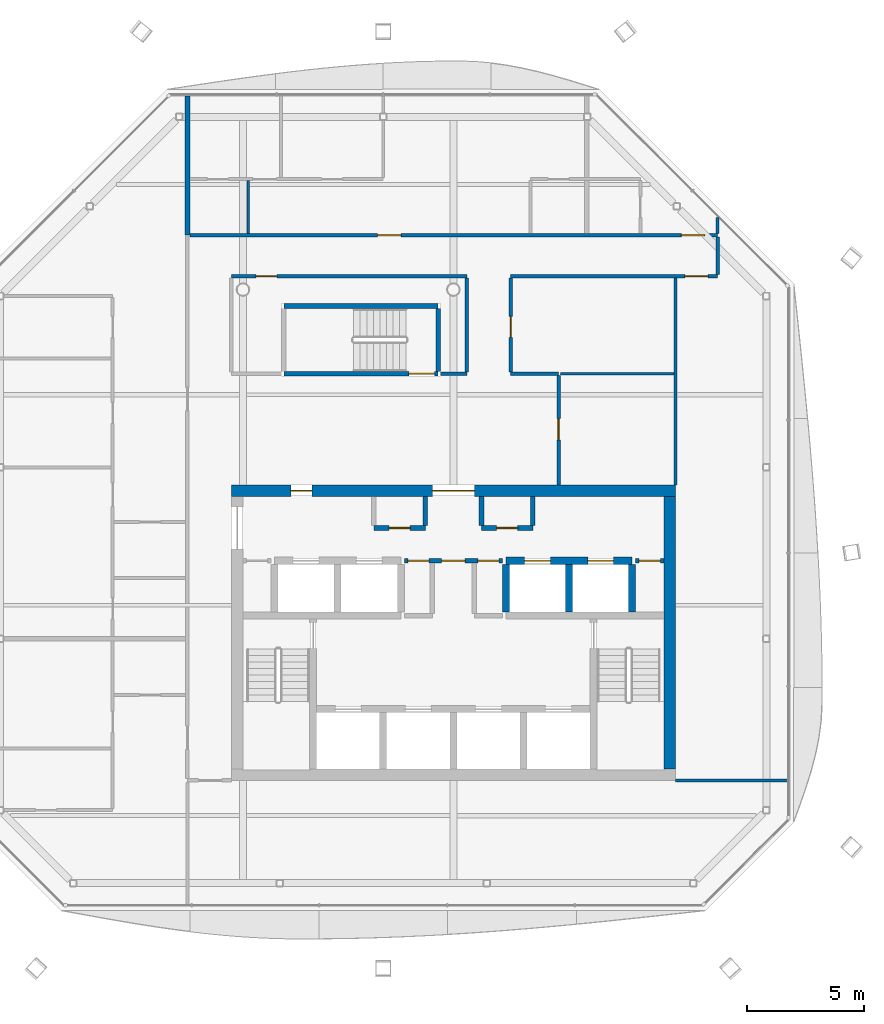
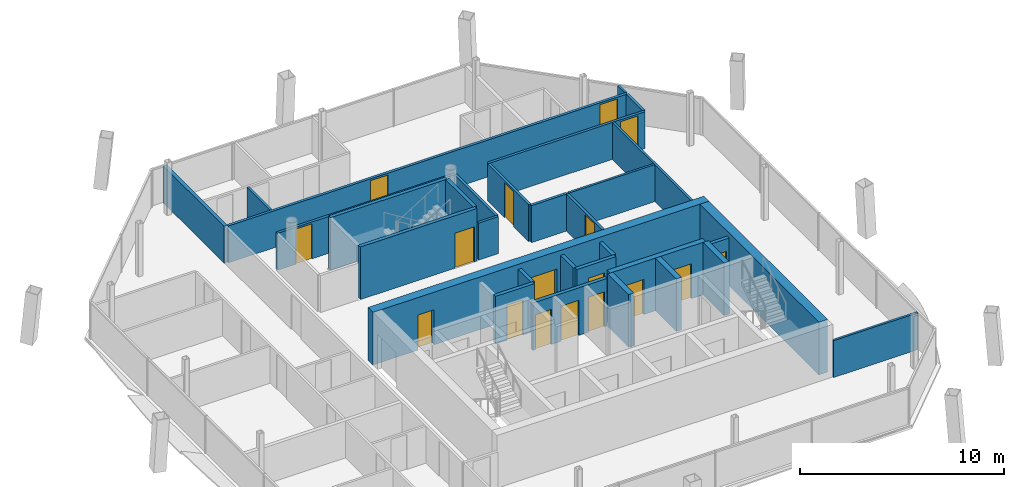
# One storey, part 11 of 16: 31 walls, 17 doors, 17 openings.
"""IFC4 building model written with IfcOpenShell, lengths in metres."""

import ifcopenshell
import ifcopenshell.guid

model = None  # the IFC model being written
_history = None  # IfcOwnerHistory: only IFC2X3 demands one
_inside = {}  # id of a spatial element -> (the spatial element, [elements in it])
_under = {}  # id of a project, library or spatial element -> (it, [spatial elements below it])
_declared = {}  # id of a project -> (the project, [libraries it declares])
_typed = {}  # id of a type object -> (the type object, [elements of that type])
_made_of = {}  # id of a material, layer set ... -> (it, [elements and type objects made of it])


def new_model(schema):
    """Start an empty IFC model of exactly this schema.

    Asked for "IFC4X3", IfcOpenShell would pick the latest addendum, in which some entities
    have other attributes; the version numbers below select the first issue.
    IFC2X3 requires an IfcOwnerHistory on every rooted entity: one is made here for all.
    """
    global model, _history
    if schema == "IFC4X3":
        model = ifcopenshell.file(schema_version=(4, 3, 0, 0))
    else:
        model = ifcopenshell.file(schema=schema)
    _inside.clear()
    _under.clear()
    _declared.clear()
    _typed.clear()
    _made_of.clear()
    _history = None
    if model.schema == "IFC2X3":
        org = make("IfcOrganization", Name="unknown")
        user = make(
            "IfcPersonAndOrganization",
            ThePerson=make("IfcPerson", FamilyName="unknown"),
            TheOrganization=org,
        )
        app = make(
            "IfcApplication",
            ApplicationDeveloper=org,
            Version="unknown",
            ApplicationFullName="unknown",
            ApplicationIdentifier="unknown",
        )
        _history = make(
            "IfcOwnerHistory",
            OwningUser=user,
            OwningApplication=app,
            ChangeAction="ADDED",
            CreationDate=0,
        )
    return model


def make(cls, **values):
    """One entity of the class cls with the attributes given. An attribute that is None is left unset."""
    return model.create_entity(
        cls, **{name: value for name, value in values.items() if value is not None}
    )


def rooted(cls, **values):
    """An entity with a GlobalId (a new one), such as an element, a storey or a relation."""
    return make(cls, GlobalId=ifcopenshell.guid.new(), OwnerHistory=_history, **values)


def si_unit(unit_type, name, prefix=None):
    """IfcSIUnit, for example si_unit("LENGTHUNIT", "METRE", prefix="MILLI")."""
    return make("IfcSIUnit", UnitType=unit_type, Prefix=prefix, Name=name)


def assignment(units):
    """IfcUnitAssignment: the units of a project."""
    return None if units is None else make("IfcUnitAssignment", Units=units)


def point(xyz):
    """IfcCartesianPoint."""
    return None if xyz is None else make("IfcCartesianPoint", Coordinates=xyz)


def direction(xyz):
    """IfcDirection."""
    return None if xyz is None else make("IfcDirection", DirectionRatios=xyz)


def frame(location, z_axis=None, x_axis=None):
    """IfcAxis2Placement3D, a coordinate frame: its origin and axes. An axis left out is left unset."""
    return make(
        "IfcAxis2Placement3D",
        Location=point(location),
        Axis=direction(z_axis),
        RefDirection=direction(x_axis),
    )


def frame_2d(location, x_axis=None):
    """IfcAxis2Placement2D, a coordinate frame in the plane: its origin and x axis."""
    return make(
        "IfcAxis2Placement2D", Location=point(location), RefDirection=direction(x_axis)
    )


def origin():
    """The frame at (0, 0, 0) with its axes left unset."""
    return frame((0.0, 0.0, 0.0))


def place(relative_to, where):
    """IfcLocalPlacement: puts the frame where relative to a parent placement (None: the world)."""
    return make(
        "IfcLocalPlacement", PlacementRelTo=relative_to, RelativePlacement=where
    )


def context(
    kind, dimensions, precision=None, world=None, true_north=None, identifier=None
):
    """IfcGeometricRepresentationContext, for example the 3D "Model" context."""
    return make(
        "IfcGeometricRepresentationContext",
        ContextIdentifier=identifier,
        ContextType=kind,
        CoordinateSpaceDimension=dimensions,
        Precision=precision,
        WorldCoordinateSystem=world,
        TrueNorth=true_north,
    )


def subcontext(parent, identifier, kind, view, scale=None):
    """IfcGeometricRepresentationSubContext, for example "Body" below "Model"."""
    return make(
        "IfcGeometricRepresentationSubContext",
        ContextIdentifier=identifier,
        ContextType=kind,
        ParentContext=parent,
        TargetScale=scale,
        TargetView=view,
    )


def project(units=None, contexts=None):
    """IfcProject with its units and contexts."""
    return rooted(
        "IfcProject",
        Name="project",
        RepresentationContexts=contexts,
        UnitsInContext=assignment(units),
    )


def spatial(cls, under=None, at=None, **own):
    """A site, building, storey or space (cls), placed at a placement, below another one or the project."""
    s = rooted(cls, ObjectPlacement=at, **own)
    if under is not None:
        _under.setdefault(under.id(), (under, []))[1].append(s)
    return s


def profile(cls, at=None, kind="AREA", **sizes):
    """A parametric profile (cls). Its sizes go by their IFC names, for example OverallWidth=200.0."""
    return make(cls, ProfileType=kind, Position=at, **sizes)


def rectangle(**sizes):
    """IfcRectangleProfileDef."""
    return profile("IfcRectangleProfileDef", **sizes)


def extrude(swept, where, along, depth):
    """IfcExtrudedAreaSolid: the profile swept, set in the frame where, extruded along a direction by depth."""
    return make(
        "IfcExtrudedAreaSolid",
        SweptArea=swept,
        Position=where,
        ExtrudedDirection=direction(along),
        Depth=depth,
    )


def shape(context_of_items, identifier, shape_type, items):
    """IfcShapeRepresentation: the items that make up one representation, for example the "Body"."""
    return make(
        "IfcShapeRepresentation",
        ContextOfItems=context_of_items,
        RepresentationIdentifier=identifier,
        RepresentationType=shape_type,
        Items=items,
    )


def material(Name=None, Category=None):
    """IfcMaterial."""
    return make("IfcMaterial", Name=Name, Category=Category)


def layer(
    of_material, thickness, ventilated=None, Name=None, Category=None, Priority=None
):
    """IfcMaterialLayer: one layer of a wall or slab, of a material (None: an air gap)."""
    return make(
        "IfcMaterialLayer",
        Material=of_material,
        LayerThickness=thickness,
        IsVentilated=ventilated,
        Name=Name,
        Category=Category,
        Priority=Priority,
    )


def layer_set(layers, Name=None):
    """IfcMaterialLayerSet."""
    return make("IfcMaterialLayerSet", MaterialLayers=layers, LayerSetName=Name)


def made_of(thing, what):
    """Note that an element or type object is made of a material, layer set ...; save() writes the relation."""
    if what is not None:
        _made_of.setdefault(what.id(), (what, []))[1].append(thing)
    return thing


def type_object(cls, material=None, **own):
    """A type object (cls), such as IfcWallType, which elements share."""
    return made_of(rooted(cls, **own), material)


def element(
    cls,
    number,
    at=None,
    inside=None,
    cuts=None,
    type_object=None,
    material=None,
    context=None,
    identifier="Body",
    shape_type=None,
    held_by="IfcProductDefinitionShape",
    body=None,
    shapes=None,
    **own,
):
    """One element of the class cls, such as IfcWall. Its Tag is "e" and its number.

    at: its placement. inside: the storey or other place that contains it. cuts: it is an
    opening in that element (IfcRelVoidsElement). A single representation is given by context,
    identifier, shape_type and body (its items); several are given by shapes. held_by: the class
    of the entity that holds the representations. save() writes the other relations.
    """
    e = rooted(cls, Tag="e%d" % number, ObjectPlacement=at, **own)
    if body is not None:
        shapes = [shape(context, identifier, shape_type, body)]
    if shapes is not None:
        e.Representation = make(held_by, Representations=shapes)
    if inside is not None:
        _inside.setdefault(inside.id(), (inside, []))[1].append(e)
    if cuts is not None:
        rooted(
            "IfcRelVoidsElement", RelatingBuildingElement=cuts, RelatedOpeningElement=e
        )
    if type_object is not None:
        _typed.setdefault(type_object.id(), (type_object, []))[1].append(e)
    return made_of(e, material)


def fill(opening, filler):
    """IfcRelFillsElement: the door or window that sits in an opening."""
    return rooted(
        "IfcRelFillsElement",
        RelatingOpeningElement=opening,
        RelatedBuildingElement=filler,
    )


def aggregate(whole, parts):
    """IfcRelAggregates: a whole, such as a stair, and the parts it consists of."""
    return rooted("IfcRelAggregates", RelatingObject=whole, RelatedObjects=parts)


def save(model, path):
    """Write the relations noted so far, then the file.

    IfcRelAggregates (storeys below a building ...), IfcRelContainedInSpatialStructure (elements
    in a storey), IfcRelDefinesByType, IfcRelAssociatesMaterial and IfcRelDeclares: one each for
    every whole, place, type object, material and project.
    """
    for whole, parts in _under.values():
        aggregate(whole, parts)
    for where, things in _inside.values():
        rooted(
            "IfcRelContainedInSpatialStructure",
            RelatedElements=things,
            RelatingStructure=where,
        )
    for kind, things in _typed.values():
        rooted("IfcRelDefinesByType", RelatedObjects=things, RelatingType=kind)
    for what, things in _made_of.values():
        rooted("IfcRelAssociatesMaterial", RelatedObjects=things, RelatingMaterial=what)
    for by, libraries in _declared.values():
        rooted("IfcRelDeclares", RelatingContext=by, RelatedDefinitions=libraries)
    model.write(path)


model = new_model("IFC4")

# Units and contexts
model_context = context("Model", 3, precision=1e-05, world=origin(), true_north=direction((0.0, 1.0)))
body_context = subcontext(model_context, "Body", "Model", "MODEL_VIEW")
ifc_project = project(units=[si_unit("LENGTHUNIT", "METRE"), si_unit("AREAUNIT", "SQUARE_METRE"), si_unit("VOLUMEUNIT", "CUBIC_METRE"), si_unit("PLANEANGLEUNIT", "RADIAN"), si_unit("MASSUNIT", "GRAM", prefix="KILO")], contexts=[model_context])

# Site, building, storey
site_placement = place(None, origin())
site = spatial("IfcSite", under=ifc_project, at=site_placement, CompositionType="ELEMENT")
building_placement = place(site_placement, origin())
building = spatial("IfcBuilding", under=site, at=building_placement, Name="Tskaro Facet Tower", CompositionType="ELEMENT")
storey_placement = place(building_placement, frame((0.0, 0.0, 251.85009765625)))
storey = spatial("IfcBuildingStorey", under=building, at=storey_placement, Name="L66", CompositionType="ELEMENT", Elevation=251.85009765625)

# Wall, openings, doors
ifc_material_1 = material(Name="Concrete C60/75", Category="concrete")
ifc_layer_1 = layer(ifc_material_1, 0.300048828125, Name="Concrete C60/75")
ifc_layer_set_1 = layer_set([ifc_layer_1], Name="Concrete C60/75")
wall_type_1 = type_object("IfcWallType", Name="CORE-SHAFT", PredefinedType="SHEAR", material=ifc_layer_set_1)
wall_1_placement = place(storey_placement, frame((2.25, -2.60009765625, 0.0), z_axis=(0.0, 0.0, 1.0), x_axis=(1.0, 0.0, 0.0)))
wall_1 = element("IfcWall", 1, at=wall_1_placement, inside=storey, type_object=wall_type_1, Name="Shaft wall W018", PredefinedType="SHEAR", context=body_context, shape_type="SweptSolid", body=[
    extrude(rectangle(XDim=5.39990234375, YDim=0.300048828125, at=frame_2d((2.699951171875, 0.0))), origin(), (0.0, 0.0, 1.0), 3.14990234375),
])
opening_1_placement = place(wall_1_placement, frame((0.800048828125, 0.0, 0.0)))
opening_1 = element("IfcOpeningElement", 2, at=opening_1_placement, cuts=wall_1, Name="Opening LD-HB3", PredefinedType="OPENING", context=body_context, shape_type="SweptSolid", body=[
    extrude(rectangle(XDim=1.10009765625, YDim=2.10009765625, at=frame_2d((0.550048828125, 1.050048828125))), frame((0.0, 0.159912109375, 0.0), z_axis=(0.0, -1.0, 0.0), x_axis=(1.0, 0.0, 0.0)), (0.0, 0.0, 1.0), 0.320068359375),
])
opening_2_placement = place(wall_1_placement, frame((3.5, 0.0, 0.0)))
opening_2 = element("IfcOpeningElement", 3, at=opening_2_placement, cuts=wall_1, Name="Opening LD-HB4", PredefinedType="OPENING", context=body_context, shape_type="SweptSolid", body=[
    extrude(rectangle(XDim=1.10009765625, YDim=2.10009765625, at=frame_2d((0.550048828125, 1.050048828125))), frame((0.0, 0.159912109375, 0.0), z_axis=(0.0, -1.0, 0.0), x_axis=(1.0, 0.0, 0.0)), (0.0, 0.0, 1.0), 0.320068359375),
])
ifc_material_2 = material(Name="Stainless steel", Category="steel")
door_type_1 = type_object("IfcDoorType", Name="D-LANDING", OperationType="NOTDEFINED", PredefinedType="DOOR", material=ifc_material_2)
door_1_placement = place(opening_1_placement, origin())
door_1 = element("IfcDoor", 4, at=door_1_placement, inside=storey, type_object=door_type_1, Name="Landing door HB3", OperationType="DOUBLE_DOOR_SLIDING", OverallHeight=2.10009765625, OverallWidth=1.10009765625, PredefinedType="DOOR", context=body_context, shape_type="SweptSolid", body=[
    extrude(rectangle(XDim=1.10009765625, YDim=2.10009765625, at=frame_2d((0.550048828125, 1.050048828125))), frame((0.0, 0.02490234375, 0.0), z_axis=(0.0, -1.0, 0.0), x_axis=(1.0, 0.0, 0.0)), (0.0, 0.0, 1.0), 0.050048828125),
])
fill(opening_1, door_1)
door_2_placement = place(opening_2_placement, origin())
door_2 = element("IfcDoor", 5, at=door_2_placement, inside=storey, type_object=door_type_1, Name="Landing door HB4", OperationType="DOUBLE_DOOR_SLIDING", OverallHeight=2.10009765625, OverallWidth=1.10009765625, PredefinedType="DOOR", context=body_context, shape_type="SweptSolid", body=[
    extrude(rectangle(XDim=1.10009765625, YDim=2.10009765625, at=frame_2d((0.550048828125, 1.050048828125))), frame((0.0, 0.02490234375, 0.0), z_axis=(0.0, -1.0, 0.0), x_axis=(1.0, 0.0, 0.0)), (0.0, 0.0, 1.0), 0.050048828125),
])
fill(opening_2, door_2)

# Walls
for number, where, z_axis, x_axis, name in (
    (6, (2.25, -4.800048828125, 0.0), (0.0, 0.0, 1.0), (0.0, 1.0, 0.0), "Shaft wall W062"),
    (7, (4.949951171875, -4.800048828125, 0.0), (0.0, 0.0, 1.0), (0.0, 1.0, 0.0), "Shaft wall W068"),
    (8, (7.64990234375, -4.800048828125, 0.0), (0.0, 0.0, 1.0), (0.0, 1.0, 0.0), "Shaft wall W072"),
):
    element("IfcWall", number, at=place(storey_placement, frame(where, z_axis=z_axis, x_axis=x_axis)), inside=storey, type_object=wall_type_1, Name=name, PredefinedType="SHEAR", context=body_context, shape_type="SweptSolid", body=[
        extrude(rectangle(XDim=2.050048828125, YDim=0.300048828125, at=frame_2d((1.02490234375, 0.0))), origin(), (0.0, 0.0, 1.0), 3.14990234375),
    ])

# Wall, openings, doors
ifc_material_3 = material(Name="Concrete C20/25", Category="concrete")
ifc_layer_2 = layer(ifc_material_3, 0.199951171875, Name="Concrete C20/25")
ifc_layer_set_2 = layer_set([ifc_layer_2], Name="Concrete C20/25")
wall_type_2 = type_object("IfcWallType", Name="CORE-WALL", PredefinedType="SOLIDWALL", material=ifc_layer_set_2)
wall_2_placement = place(storey_placement, frame((2.10009765625, -2.60009765625, 0.0), z_axis=(0.0, 0.0, 1.0), x_axis=(-1.0, 0.0, 0.0)))
wall_2 = element("IfcWall", 9, at=wall_2_placement, inside=storey, type_object=wall_type_2, Name="Core room wall W017", PredefinedType="SOLIDWALL", context=body_context, shape_type="SweptSolid", body=[
    extrude(rectangle(XDim=4.2001953125, YDim=0.199951171875, at=frame_2d((2.10009765625, 0.0))), origin(), (0.0, 0.0, 1.0), 2.849853515625),
])
opening_3_placement = place(wall_2_placement, frame((1.60009765625, 0.0, 0.0)))
opening_3 = element("IfcOpeningElement", 10, at=opening_3_placement, cuts=wall_2, Name="Opening FL-D1", PredefinedType="OPENING", context=body_context, shape_type="SweptSolid", body=[
    extrude(rectangle(XDim=1.0, YDim=2.10009765625, at=frame_2d((0.5, 1.050048828125))), frame((0.0, 0.10986328125, 0.0), z_axis=(0.0, -1.0, 0.0), x_axis=(1.0, 0.0, 0.0)), (0.0, 0.0, 1.0), 0.219970703125),
])
opening_4_placement = place(wall_2_placement, frame((3.14990234375, 0.0, 0.0)))
opening_4 = element("IfcOpeningElement", 11, at=opening_4_placement, cuts=wall_2, Name="Opening T19-D08", PredefinedType="OPENING", context=body_context, shape_type="SweptSolid", body=[
    extrude(rectangle(XDim=0.89990234375, YDim=2.10009765625, at=frame_2d((0.449951171875, 1.050048828125))), frame((0.0, 0.10986328125, 0.0), z_axis=(0.0, -1.0, 0.0), x_axis=(1.0, 0.0, 0.0)), (0.0, 0.0, 1.0), 0.219970703125),
])
opening_5_placement = place(wall_2_placement, frame((0.14990234375, 0.0, 0.0)))
opening_5 = element("IfcOpeningElement", 12, at=opening_5_placement, cuts=wall_2, Name="Opening T19-D09", PredefinedType="OPENING", context=body_context, shape_type="SweptSolid", body=[
    extrude(rectangle(XDim=0.89990234375, YDim=2.10009765625, at=frame_2d((0.449951171875, 1.050048828125))), frame((0.0, 0.10986328125, 0.0), z_axis=(0.0, -1.0, 0.0), x_axis=(1.0, 0.0, 0.0)), (0.0, 0.0, 1.0), 0.219970703125),
])
ifc_material_4 = material(Name="Steel", Category="steel")
door_type_2 = type_object("IfcDoorType", Name="D-LOBBY", OperationType="NOTDEFINED", PredefinedType="DOOR", material=ifc_material_4)
door_3_placement = place(opening_3_placement, origin())
door_3 = element("IfcDoor", 13, at=door_3_placement, inside=storey, type_object=door_type_2, Name="Lobby door FL", OperationType="SINGLE_SWING_RIGHT", OverallHeight=2.10009765625, OverallWidth=1.0, PredefinedType="DOOR", context=body_context, shape_type="SweptSolid", body=[
    extrude(rectangle(XDim=1.0, YDim=2.10009765625, at=frame_2d((0.5, 1.050048828125))), frame((0.0, 0.02490234375, 0.0), z_axis=(0.0, -1.0, 0.0), x_axis=(1.0, 0.0, 0.0)), (0.0, 0.0, 1.0), 0.050048828125),
])
fill(opening_3, door_3)
ifc_material_5 = material(Name="Timber", Category="wood")
door_type_3 = type_object("IfcDoorType", Name="D-ROOM", OperationType="NOTDEFINED", PredefinedType="DOOR", material=ifc_material_5)
door_4_placement = place(opening_4_placement, origin())
door_4 = element("IfcDoor", 14, at=door_4_placement, inside=storey, type_object=door_type_3, Name="Door T19-D08", OperationType="SINGLE_SWING_RIGHT", OverallHeight=2.10009765625, OverallWidth=0.89990234375, PredefinedType="DOOR", context=body_context, shape_type="SweptSolid", body=[
    extrude(rectangle(XDim=0.89990234375, YDim=2.10009765625, at=frame_2d((0.449951171875, 1.050048828125))), frame((0.0, 0.02490234375, 0.0), z_axis=(0.0, -1.0, 0.0), x_axis=(1.0, 0.0, 0.0)), (0.0, 0.0, 1.0), 0.050048828125),
])
fill(opening_4, door_4)
door_5_placement = place(opening_5_placement, origin())
door_5 = element("IfcDoor", 15, at=door_5_placement, inside=storey, type_object=door_type_3, Name="Door T19-D09", OperationType="SINGLE_SWING_RIGHT", OverallHeight=2.10009765625, OverallWidth=0.89990234375, PredefinedType="DOOR", context=body_context, shape_type="SweptSolid", body=[
    extrude(rectangle(XDim=0.89990234375, YDim=2.10009765625, at=frame_2d((0.449951171875, 1.050048828125))), frame((0.0, 0.02490234375, 0.0), z_axis=(0.0, -1.0, 0.0), x_axis=(1.0, 0.0, 0.0)), (0.0, 0.0, 1.0), 0.050048828125),
])
fill(opening_5, door_5)

# Wall, opening, door
wall_3_placement = place(storey_placement, frame((9.0, -2.60009765625, 0.0), z_axis=(0.0, 0.0, 1.0), x_axis=(-1.0, 0.0, 0.0)))
wall_3 = element("IfcWall", 16, at=wall_3_placement, inside=storey, type_object=wall_type_2, Name="Core room wall W019", PredefinedType="SOLIDWALL", context=body_context, shape_type="SweptSolid", body=[
    extrude(rectangle(XDim=1.199951171875, YDim=0.199951171875, at=frame_2d((0.60009765625, 0.0))), origin(), (0.0, 0.0, 1.0), 2.849853515625),
])
opening_6_placement = place(wall_3_placement, frame((0.14990234375, 0.0, 0.0)))
opening_6 = element("IfcOpeningElement", 17, at=opening_6_placement, cuts=wall_3, Name="Opening T19-D10", PredefinedType="OPENING", context=body_context, shape_type="SweptSolid", body=[
    extrude(rectangle(XDim=0.89990234375, YDim=2.10009765625, at=frame_2d((0.449951171875, 1.050048828125))), frame((0.0, 0.10986328125, 0.0), z_axis=(0.0, -1.0, 0.0), x_axis=(1.0, 0.0, 0.0)), (0.0, 0.0, 1.0), 0.219970703125),
])
door_6_placement = place(opening_6_placement, origin())
door_6 = element("IfcDoor", 18, at=door_6_placement, inside=storey, type_object=door_type_3, Name="Door T19-D10", OperationType="SINGLE_SWING_RIGHT", OverallHeight=2.10009765625, OverallWidth=0.89990234375, PredefinedType="DOOR", context=body_context, shape_type="SweptSolid", body=[
    extrude(rectangle(XDim=0.89990234375, YDim=2.10009765625, at=frame_2d((0.449951171875, 1.050048828125))), frame((0.0, 0.02490234375, 0.0), z_axis=(0.0, -1.0, 0.0), x_axis=(1.0, 0.0, 0.0)), (0.0, 0.0, 1.0), 0.050048828125),
])
fill(opening_6, door_6)

wall_4_placement = place(storey_placement, frame((-3.39990234375, -1.199951171875, 0.0), z_axis=(0.0, 0.0, 1.0), x_axis=(1.0, 0.0, 0.0)))
wall_4 = element("IfcWall", 19, at=wall_4_placement, inside=storey, type_object=wall_type_2, Name="Core room wall W020", PredefinedType="SOLIDWALL", context=body_context, shape_type="SweptSolid", body=[
    extrude(rectangle(XDim=2.199951171875, YDim=0.199951171875, at=frame_2d((1.10009765625, 0.0))), origin(), (0.0, 0.0, 1.0), 2.849853515625),
])
opening_7_placement = place(wall_4_placement, frame((0.64990234375, 0.0, 0.0)))
opening_7 = element("IfcOpeningElement", 20, at=opening_7_placement, cuts=wall_4, Name="Opening T19-D12", PredefinedType="OPENING", context=body_context, shape_type="SweptSolid", body=[
    extrude(rectangle(XDim=0.89990234375, YDim=2.10009765625, at=frame_2d((0.449951171875, 1.050048828125))), frame((0.0, 0.10986328125, 0.0), z_axis=(0.0, -1.0, 0.0), x_axis=(1.0, 0.0, 0.0)), (0.0, 0.0, 1.0), 0.219970703125),
])
door_7_placement = place(opening_7_placement, origin())
door_7 = element("IfcDoor", 21, at=door_7_placement, inside=storey, type_object=door_type_3, Name="Door T19-D12", OperationType="SINGLE_SWING_LEFT", OverallHeight=2.10009765625, OverallWidth=0.89990234375, PredefinedType="DOOR", context=body_context, shape_type="SweptSolid", body=[
    extrude(rectangle(XDim=0.89990234375, YDim=2.10009765625, at=frame_2d((0.449951171875, 1.050048828125))), frame((0.0, 0.02490234375, 0.0), z_axis=(0.0, -1.0, 0.0), x_axis=(1.0, 0.0, 0.0)), (0.0, 0.0, 1.0), 0.050048828125),
])
fill(opening_7, door_7)

wall_5_placement = place(storey_placement, frame((1.199951171875, -1.199951171875, 0.0), z_axis=(0.0, 0.0, 1.0), x_axis=(1.0, 0.0, 0.0)))
wall_5 = element("IfcWall", 22, at=wall_5_placement, inside=storey, type_object=wall_type_2, Name="Core room wall W021", PredefinedType="SOLIDWALL", context=body_context, shape_type="SweptSolid", body=[
    extrude(rectangle(XDim=2.199951171875, YDim=0.199951171875, at=frame_2d((1.10009765625, 0.0))), origin(), (0.0, 0.0, 1.0), 2.849853515625),
])
opening_8_placement = place(wall_5_placement, frame((0.64990234375, 0.0, 0.0)))
opening_8 = element("IfcOpeningElement", 23, at=opening_8_placement, cuts=wall_5, Name="Opening T19-D13", PredefinedType="OPENING", context=body_context, shape_type="SweptSolid", body=[
    extrude(rectangle(XDim=0.89990234375, YDim=2.10009765625, at=frame_2d((0.449951171875, 1.050048828125))), frame((0.0, 0.10986328125, 0.0), z_axis=(0.0, -1.0, 0.0), x_axis=(1.0, 0.0, 0.0)), (0.0, 0.0, 1.0), 0.219970703125),
])
door_8_placement = place(opening_8_placement, origin())
door_8 = element("IfcDoor", 24, at=door_8_placement, inside=storey, type_object=door_type_3, Name="Door T19-D13", OperationType="SINGLE_SWING_LEFT", OverallHeight=2.10009765625, OverallWidth=0.89990234375, PredefinedType="DOOR", context=body_context, shape_type="SweptSolid", body=[
    extrude(rectangle(XDim=0.89990234375, YDim=2.10009765625, at=frame_2d((0.449951171875, 1.050048828125))), frame((0.0, 0.02490234375, 0.0), z_axis=(0.0, -1.0, 0.0), x_axis=(1.0, 0.0, 0.0)), (0.0, 0.0, 1.0), 0.050048828125),
])
fill(opening_8, door_8)

# Walls
for number, where, z_axis, x_axis, name in (
    (25, (-1.199951171875, -1.10009765625, 0.0), (0.0, 0.0, 1.0), (0.0, 1.0, 0.0), "Core room wall W055"),
    (26, (1.199951171875, -1.10009765625, 0.0), (0.0, 0.0, 1.0), (0.0, 1.0, 0.0), "Core room wall W061"),
    (27, (3.39990234375, -1.10009765625, 0.0), (0.0, 0.0, 1.0), (0.0, 1.0, 0.0), "Core room wall W066"),
):
    element("IfcWall", number, at=place(storey_placement, frame(where, z_axis=z_axis, x_axis=x_axis)), inside=storey, type_object=wall_type_2, Name=name, PredefinedType="SOLIDWALL", context=body_context, shape_type="SweptSolid", body=[
        extrude(rectangle(XDim=1.25, YDim=0.199951171875, at=frame_2d((0.625, 0.0))), origin(), (0.0, 0.0, 1.0), 2.849853515625),
    ])

# Wall, openings, doors
ifc_material_6 = material(Name="Concrete C40/50", Category="concrete")
ifc_layer_3 = layer(ifc_material_6, 0.5, Name="Concrete C40/50")
ifc_layer_set_3 = layer_set([ifc_layer_3], Name="Concrete C40/50")
wall_type_3 = type_object("IfcWallType", Name="Core wall 500", PredefinedType="SHEAR", material=ifc_layer_set_3)
wall_6_placement = place(storey_placement, frame((-9.5, 0.39990234375, 0.0), z_axis=(0.0, 0.0, 1.0), x_axis=(1.0, 0.0, 0.0)))
wall_6 = element("IfcWall", 28, at=wall_6_placement, inside=storey, type_object=wall_type_3, Name="Core wall CW-Z3N", PredefinedType="SHEAR", context=body_context, shape_type="SweptSolid", body=[
    extrude(rectangle(XDim=19.0, YDim=0.5, at=frame_2d((9.5, 0.0))), origin(), (0.0, 0.0, 1.0), 3.14990234375),
])
opening_9_placement = place(wall_6_placement, frame((8.60009765625, 0.0, 0.0)))
opening_9 = element("IfcOpeningElement", 29, at=opening_9_placement, cuts=wall_6, Name="Opening T19-D17", PredefinedType="OPENING", context=body_context, shape_type="SweptSolid", body=[
    extrude(rectangle(XDim=1.800048828125, YDim=2.10009765625, at=frame_2d((0.89990234375, 1.050048828125))), frame((0.0, 0.260009765625, 0.0), z_axis=(0.0, -1.0, 0.0), x_axis=(1.0, 0.0, 0.0)), (0.0, 0.0, 1.0), 0.52001953125),
])
opening_10_placement = place(wall_6_placement, frame((2.550048828125, 0.0, 0.0)))
opening_10 = element("IfcOpeningElement", 30, at=opening_10_placement, cuts=wall_6, Name="Opening T19-D16", PredefinedType="OPENING", context=body_context, shape_type="SweptSolid", body=[
    extrude(rectangle(XDim=0.89990234375, YDim=2.10009765625, at=frame_2d((0.449951171875, 1.050048828125))), frame((0.0, 0.260009765625, 0.0), z_axis=(0.0, -1.0, 0.0), x_axis=(1.0, 0.0, 0.0)), (0.0, 0.0, 1.0), 0.52001953125),
])
door_type_4 = type_object("IfcDoorType", Name="D-CORE-PAIR", OperationType="NOTDEFINED", PredefinedType="DOOR", material=ifc_material_4)
door_9_placement = place(opening_9_placement, origin())
door_9 = element("IfcDoor", 31, at=door_9_placement, inside=storey, type_object=door_type_4, Name="Door T19-D17", OperationType="DOUBLE_DOOR_SINGLE_SWING", OverallHeight=2.10009765625, OverallWidth=1.800048828125, PredefinedType="DOOR", context=body_context, shape_type="SweptSolid", body=[
    extrude(rectangle(XDim=1.800048828125, YDim=2.10009765625, at=frame_2d((0.89990234375, 1.050048828125))), frame((0.0, 0.02490234375, 0.0), z_axis=(0.0, -1.0, 0.0), x_axis=(1.0, 0.0, 0.0)), (0.0, 0.0, 1.0), 0.050048828125),
])
fill(opening_9, door_9)
door_10_placement = place(opening_10_placement, origin())
door_10 = element("IfcDoor", 32, at=door_10_placement, inside=storey, type_object=door_type_3, Name="Door T19-D16", OperationType="SINGLE_SWING_LEFT", OverallHeight=2.10009765625, OverallWidth=0.89990234375, PredefinedType="DOOR", context=body_context, shape_type="SweptSolid", body=[
    extrude(rectangle(XDim=0.89990234375, YDim=2.10009765625, at=frame_2d((0.449951171875, 1.050048828125))), frame((0.0, 0.02490234375, 0.0), z_axis=(0.0, -1.0, 0.0), x_axis=(1.0, 0.0, 0.0)), (0.0, 0.0, 1.0), 0.050048828125),
])
fill(opening_10, door_10)

# Walls
wall_7_placement = place(storey_placement, frame((9.25, -11.5, 0.0), z_axis=(0.0, 0.0, 1.0), x_axis=(0.0, 1.0, 0.0)))
element("IfcWall", 33, at=wall_7_placement, inside=storey, type_object=wall_type_3, Name="Core wall CW-Z3E", PredefinedType="SHEAR", context=body_context, shape_type="SweptSolid", body=[
    extrude(rectangle(XDim=11.64990234375, YDim=0.5, at=frame_2d((5.824951171875, 0.0))), origin(), (0.0, 0.0, 1.0), 3.14990234375),
])
ifc_material_7 = material(Name="Gypsum board on steel studs", Category="steel")
ifc_layer_4 = layer(ifc_material_7, 0.125, Name="Gypsum board on steel studs")
ifc_layer_set_4 = layer_set([ifc_layer_4], Name="Gypsum board on steel studs")
wall_type_4 = type_object("IfcWallType", Name="PART", PredefinedType="PARTITIONING", material=ifc_layer_set_4)
wall_8_placement = place(storey_placement, frame((9.5, -12.0, 0.0), z_axis=(0.0, 0.0, 1.0), x_axis=(1.0, 0.0, 0.0)))
element("IfcWall", 34, at=wall_8_placement, inside=storey, type_object=wall_type_4, Name="Partition W004", PredefinedType="PARTITIONING", context=body_context, shape_type="SweptSolid", body=[
    extrude(rectangle(XDim=4.791015625, YDim=0.125, at=frame_2d((2.3955078125, 0.0))), origin(), (0.0, 0.0, 1.0), 2.2099609375),
])
wall_9_placement = place(storey_placement, frame((4.574951171875, 5.39990234375, 0.0), z_axis=(0.0, 0.0, 1.0), x_axis=(1.0, 0.0, 0.0)))
element("IfcWall", 35, at=wall_9_placement, inside=storey, type_object=wall_type_4, Name="Partition W029", PredefinedType="PARTITIONING", context=body_context, shape_type="SweptSolid", body=[
    extrude(rectangle(XDim=4.862548828125, YDim=0.125, at=frame_2d((2.43115234375, 0.0))), origin(), (0.0, 0.0, 1.0), 2.2099609375),
])
wall_10_placement = place(storey_placement, frame((-8.77490234375, 11.39990234375, 0.0), z_axis=(0.0, 0.0, 1.0), x_axis=(0.0, 1.0, 0.0)))
element("IfcWall", 36, at=wall_10_placement, inside=storey, type_object=wall_type_4, Name="Partition W044", PredefinedType="PARTITIONING", context=body_context, shape_type="SweptSolid", body=[
    extrude(rectangle(XDim=2.2626953125, YDim=0.125, at=frame_2d((1.13134765625, 0.0))), origin(), (0.0, 0.0, 1.0), 2.2099609375),
])
wall_11_placement = place(storey_placement, frame((9.5, 0.64990234375, 0.0), z_axis=(0.0, 0.0, 1.0), x_axis=(0.0, 1.0, 0.0)))
element("IfcWall", 37, at=wall_11_placement, inside=storey, type_object=wall_type_4, Name="Partition W074", PredefinedType="PARTITIONING", context=body_context, shape_type="SweptSolid", body=[
    extrude(rectangle(XDim=8.85009765625, YDim=0.125, at=frame_2d((4.425048828125, 0.0))), origin(), (0.0, 0.0, 1.0), 2.2099609375),
])
wall_12_placement = place(storey_placement, frame((11.300048828125, 11.39990234375, 0.0), z_axis=(0.0, 0.0, 1.0), x_axis=(0.0, 1.0, 0.0)))
element("IfcWall", 38, at=wall_12_placement, inside=storey, type_object=wall_type_4, Name="Partition W076", PredefinedType="PARTITIONING", context=body_context, shape_type="SweptSolid", body=[
    extrude(rectangle(XDim=0.689208984375, YDim=0.125, at=frame_2d((0.3447265625, 0.0))), origin(), (0.0, 0.0, 1.0), 2.2099609375),
])
ifc_layer_5 = layer(ifc_material_7, 0.14990234375, Name="Gypsum board on steel studs")
ifc_layer_set_5 = layer_set([ifc_layer_5], Name="Gypsum board on steel studs")
wall_type_5 = type_object("IfcWallType", Name="PART-CORR", PredefinedType="PARTITIONING", material=ifc_layer_set_5)
wall_13_placement = place(storey_placement, frame((-0.550048828125, 5.39990234375, 0.0), z_axis=(0.0, 0.0, 1.0), x_axis=(1.0, 0.0, 0.0)))
element("IfcWall", 39, at=wall_13_placement, inside=storey, type_object=wall_type_5, Name="Corridor wall W027", PredefinedType="PARTITIONING", context=body_context, shape_type="SweptSolid", body=[
    extrude(rectangle(XDim=1.125, YDim=0.14990234375, at=frame_2d((0.5625, 0.0))), origin(), (0.0, 0.0, 1.0), 2.2099609375),
])
wall_14_placement = place(storey_placement, frame((2.449951171875, 5.39990234375, 0.0), z_axis=(0.0, 0.0, 1.0), x_axis=(1.0, 0.0, 0.0)))
element("IfcWall", 40, at=wall_14_placement, inside=storey, type_object=wall_type_5, Name="Corridor wall W028", PredefinedType="PARTITIONING", context=body_context, shape_type="SweptSolid", body=[
    extrude(rectangle(XDim=2.050048828125, YDim=0.14990234375, at=frame_2d((1.02490234375, 0.0))), origin(), (0.0, 0.0, 1.0), 2.2099609375),
])

# Wall, opening, door
wall_15_placement = place(storey_placement, frame((0.574951171875, 9.574951171875, 0.0), z_axis=(0.0, 0.0, 1.0), x_axis=(-1.0, 0.0, 0.0)))
wall_15 = element("IfcWall", 41, at=wall_15_placement, inside=storey, type_object=wall_type_5, Name="Corridor wall W034", PredefinedType="PARTITIONING", context=body_context, shape_type="SweptSolid", body=[
    extrude(rectangle(XDim=10.074951171875, YDim=0.14990234375, at=frame_2d((5.03759765625, 0.0))), origin(), (0.0, 0.0, 1.0), 2.2099609375),
])
opening_11_placement = place(wall_15_placement, frame((8.125, 0.0, 0.0)))
opening_11 = element("IfcOpeningElement", 42, at=opening_11_placement, cuts=wall_15, Name="Opening T19-D23", PredefinedType="OPENING", context=body_context, shape_type="SweptSolid", body=[
    extrude(rectangle(XDim=0.89990234375, YDim=2.10009765625, at=frame_2d((0.449951171875, 1.050048828125))), frame((0.0, 0.0849609375, 0.0), z_axis=(0.0, -1.0, 0.0), x_axis=(1.0, 0.0, 0.0)), (0.0, 0.0, 1.0), 0.169921875),
])
door_11_placement = place(opening_11_placement, origin())
door_11 = element("IfcDoor", 43, at=door_11_placement, inside=storey, type_object=door_type_3, Name="Door T19-D23", OperationType="SINGLE_SWING_RIGHT", OverallHeight=2.10009765625, OverallWidth=0.89990234375, PredefinedType="DOOR", context=body_context, shape_type="SweptSolid", body=[
    extrude(rectangle(XDim=0.89990234375, YDim=2.10009765625, at=frame_2d((0.449951171875, 1.050048828125))), frame((0.0, 0.02490234375, 0.0), z_axis=(0.0, -1.0, 0.0), x_axis=(1.0, 0.0, 0.0)), (0.0, 0.0, 1.0), 0.050048828125),
])
fill(opening_11, door_11)

wall_16_placement = place(storey_placement, frame((11.300048828125, 9.574951171875, 0.0), z_axis=(0.0, 0.0, 1.0), x_axis=(-1.0, 0.0, 0.0)))
wall_16 = element("IfcWall", 44, at=wall_16_placement, inside=storey, type_object=wall_type_5, Name="Corridor wall W035", PredefinedType="PARTITIONING", context=body_context, shape_type="SweptSolid", body=[
    extrude(rectangle(XDim=8.85009765625, YDim=0.14990234375, at=frame_2d((4.425048828125, 0.0))), origin(), (0.0, 0.0, 1.0), 2.2099609375),
])
opening_12_placement = place(wall_16_placement, frame((0.39990234375, 0.0, 0.0)))
opening_12 = element("IfcOpeningElement", 45, at=opening_12_placement, cuts=wall_16, Name="Opening T19-D24", PredefinedType="OPENING", context=body_context, shape_type="SweptSolid", body=[
    extrude(rectangle(XDim=1.0, YDim=2.10009765625, at=frame_2d((0.5, 1.050048828125))), frame((0.0, 0.0849609375, 0.0), z_axis=(0.0, -1.0, 0.0), x_axis=(1.0, 0.0, 0.0)), (0.0, 0.0, 1.0), 0.169921875),
])
door_type_5 = type_object("IfcDoorType", Name="D-ROOM-WIDE", OperationType="NOTDEFINED", PredefinedType="DOOR", material=ifc_material_5)
door_12_placement = place(opening_12_placement, origin())
door_12 = element("IfcDoor", 46, at=door_12_placement, inside=storey, type_object=door_type_5, Name="Door T19-D24", OperationType="SINGLE_SWING_RIGHT", OverallHeight=2.10009765625, OverallWidth=1.0, PredefinedType="DOOR", context=body_context, shape_type="SweptSolid", body=[
    extrude(rectangle(XDim=1.0, YDim=2.10009765625, at=frame_2d((0.5, 1.050048828125))), frame((0.0, 0.02490234375, 0.0), z_axis=(0.0, -1.0, 0.0), x_axis=(1.0, 0.0, 0.0)), (0.0, 0.0, 1.0), 0.050048828125),
])
fill(opening_12, door_12)

# Wall, openings, doors
wall_17_placement = place(storey_placement, frame((-11.27490234375, 11.324951171875, 0.0), z_axis=(0.0, 0.0, 1.0), x_axis=(1.0, 0.0, 0.0)))
wall_17 = element("IfcWall", 47, at=wall_17_placement, inside=storey, type_object=wall_type_5, Name="Corridor wall W036", PredefinedType="PARTITIONING", context=body_context, shape_type="SweptSolid", body=[
    extrude(rectangle(XDim=22.574951171875, YDim=0.14990234375, at=frame_2d((11.28759765625, 0.0))), origin(), (0.0, 0.0, 1.0), 2.2099609375),
])
opening_13_placement = place(wall_17_placement, frame((8.03759765625, 0.0, 0.0)))
opening_13 = element("IfcOpeningElement", 48, at=opening_13_placement, cuts=wall_17, Name="Opening T19-D25", PredefinedType="OPENING", context=body_context, shape_type="SweptSolid", body=[
    extrude(rectangle(XDim=1.0, YDim=2.10009765625, at=frame_2d((0.5, 1.050048828125))), frame((0.0, 0.0849609375, 0.0), z_axis=(0.0, -1.0, 0.0), x_axis=(1.0, 0.0, 0.0)), (0.0, 0.0, 1.0), 0.169921875),
])
opening_14_placement = place(wall_17_placement, frame((21.02490234375, 0.0, 0.0)))
opening_14 = element("IfcOpeningElement", 49, at=opening_14_placement, cuts=wall_17, Name="Opening T19-D26", PredefinedType="OPENING", context=body_context, shape_type="SweptSolid", body=[
    extrude(rectangle(XDim=1.0, YDim=2.10009765625, at=frame_2d((0.5, 1.050048828125))), frame((0.0, 0.0849609375, 0.0), z_axis=(0.0, -1.0, 0.0), x_axis=(1.0, 0.0, 0.0)), (0.0, 0.0, 1.0), 0.169921875),
])
door_type_6 = type_object("IfcDoorType", Name="D-FLAT-ENTRY", OperationType="NOTDEFINED", PredefinedType="DOOR", material=ifc_material_5)
door_13_placement = place(opening_13_placement, origin())
door_13 = element("IfcDoor", 50, at=door_13_placement, inside=storey, type_object=door_type_6, Name="Door T19-D25", OperationType="SINGLE_SWING_LEFT", OverallHeight=2.10009765625, OverallWidth=1.0, PredefinedType="DOOR", context=body_context, shape_type="SweptSolid", body=[
    extrude(rectangle(XDim=1.0, YDim=2.10009765625, at=frame_2d((0.5, 1.050048828125))), frame((0.0, 0.02490234375, 0.0), z_axis=(0.0, -1.0, 0.0), x_axis=(1.0, 0.0, 0.0)), (0.0, 0.0, 1.0), 0.050048828125),
])
fill(opening_13, door_13)
door_14_placement = place(opening_14_placement, origin())
door_14 = element("IfcDoor", 51, at=door_14_placement, inside=storey, type_object=door_type_6, Name="Door T19-D26", OperationType="SINGLE_SWING_LEFT", OverallHeight=2.10009765625, OverallWidth=1.0, PredefinedType="DOOR", context=body_context, shape_type="SweptSolid", body=[
    extrude(rectangle(XDim=1.0, YDim=2.10009765625, at=frame_2d((0.5, 1.050048828125))), frame((0.0, 0.02490234375, 0.0), z_axis=(0.0, -1.0, 0.0), x_axis=(1.0, 0.0, 0.0)), (0.0, 0.0, 1.0), 0.050048828125),
])
fill(opening_14, door_14)

# Wall
wall_18_placement = place(storey_placement, frame((0.574951171875, 5.47509765625, 0.0), z_axis=(0.0, 0.0, 1.0), x_axis=(0.0, 1.0, 0.0)))
element("IfcWall", 52, at=wall_18_placement, inside=storey, type_object=wall_type_5, Name="Corridor wall W059", PredefinedType="PARTITIONING", context=body_context, shape_type="SweptSolid", body=[
    extrude(rectangle(XDim=4.02490234375, YDim=0.14990234375, at=frame_2d((2.012451171875, 0.0))), origin(), (0.0, 0.0, 1.0), 2.2099609375),
])

# Wall, opening, door
wall_19_placement = place(storey_placement, frame((2.449951171875, 9.5, 0.0), z_axis=(0.0, 0.0, 1.0), x_axis=(0.0, -1.0, 0.0)))
wall_19 = element("IfcWall", 53, at=wall_19_placement, inside=storey, type_object=wall_type_5, Name="Corridor wall W063", PredefinedType="PARTITIONING", context=body_context, shape_type="SweptSolid", body=[
    extrude(rectangle(XDim=4.02490234375, YDim=0.14990234375, at=frame_2d((2.012451171875, 0.0))), origin(), (0.0, 0.0, 1.0), 2.2099609375),
])
opening_15_placement = place(wall_19_placement, frame((1.64990234375, 0.0, 0.0)))
opening_15 = element("IfcOpeningElement", 54, at=opening_15_placement, cuts=wall_19, Name="Opening T19-D22", PredefinedType="OPENING", context=body_context, shape_type="SweptSolid", body=[
    extrude(rectangle(XDim=0.89990234375, YDim=2.10009765625, at=frame_2d((0.449951171875, 1.050048828125))), frame((0.0, 0.0849609375, 0.0), z_axis=(0.0, -1.0, 0.0), x_axis=(1.0, 0.0, 0.0)), (0.0, 0.0, 1.0), 0.169921875),
])
door_15_placement = place(opening_15_placement, origin())
door_15 = element("IfcDoor", 55, at=door_15_placement, inside=storey, type_object=door_type_3, Name="Door T19-D22", OperationType="SINGLE_SWING_RIGHT", OverallHeight=2.10009765625, OverallWidth=0.89990234375, PredefinedType="DOOR", context=body_context, shape_type="SweptSolid", body=[
    extrude(rectangle(XDim=0.89990234375, YDim=2.10009765625, at=frame_2d((0.449951171875, 1.050048828125))), frame((0.0, 0.02490234375, 0.0), z_axis=(0.0, -1.0, 0.0), x_axis=(1.0, 0.0, 0.0)), (0.0, 0.0, 1.0), 0.050048828125),
])
fill(opening_15, door_15)

wall_20_placement = place(storey_placement, frame((4.5, 5.324951171875, 0.0), z_axis=(0.0, 0.0, 1.0), x_axis=(0.0, -1.0, 0.0)))
wall_20 = element("IfcWall", 56, at=wall_20_placement, inside=storey, type_object=wall_type_5, Name="Corridor wall W067", PredefinedType="PARTITIONING", context=body_context, shape_type="SweptSolid", body=[
    extrude(rectangle(XDim=4.675048828125, YDim=0.14990234375, at=frame_2d((2.33740234375, 0.0))), origin(), (0.0, 0.0, 1.0), 2.2099609375),
])
opening_16_placement = place(wall_20_placement, frame((1.85009765625, 0.0, 0.0)))
opening_16 = element("IfcOpeningElement", 57, at=opening_16_placement, cuts=wall_20, Name="Opening T19-D18", PredefinedType="OPENING", context=body_context, shape_type="SweptSolid", body=[
    extrude(rectangle(XDim=0.89990234375, YDim=2.10009765625, at=frame_2d((0.449951171875, 1.050048828125))), frame((0.0, 0.0849609375, 0.0), z_axis=(0.0, -1.0, 0.0), x_axis=(1.0, 0.0, 0.0)), (0.0, 0.0, 1.0), 0.169921875),
])
door_16_placement = place(opening_16_placement, origin())
door_16 = element("IfcDoor", 58, at=door_16_placement, inside=storey, type_object=door_type_3, Name="Door T19-D18", OperationType="SINGLE_SWING_RIGHT", OverallHeight=2.10009765625, OverallWidth=0.89990234375, PredefinedType="DOOR", context=body_context, shape_type="SweptSolid", body=[
    extrude(rectangle(XDim=0.89990234375, YDim=2.10009765625, at=frame_2d((0.449951171875, 1.050048828125))), frame((0.0, 0.02490234375, 0.0), z_axis=(0.0, -1.0, 0.0), x_axis=(1.0, 0.0, 0.0)), (0.0, 0.0, 1.0), 0.050048828125),
])
fill(opening_16, door_16)

# Walls
wall_21_placement = place(storey_placement, frame((11.300048828125, 9.64990234375, 0.0), z_axis=(0.0, 0.0, 1.0), x_axis=(0.0, 1.0, 0.0)))
element("IfcWall", 59, at=wall_21_placement, inside=storey, type_object=wall_type_5, Name="Corridor wall W075", PredefinedType="PARTITIONING", context=body_context, shape_type="SweptSolid", body=[
    extrude(rectangle(XDim=1.60009765625, YDim=0.14990234375, at=frame_2d((0.800048828125, 0.0))), origin(), (0.0, 0.0, 1.0), 2.2099609375),
])
ifc_layer_6 = layer(ifc_material_7, 0.199951171875, Name="Gypsum board on steel studs")
ifc_layer_set_6 = layer_set([ifc_layer_6], Name="Gypsum board on steel studs")
wall_type_6 = type_object("IfcWallType", Name="PART-DEMISING", PredefinedType="PARTITIONING", material=ifc_layer_set_6)
wall_22_placement = place(storey_placement, frame((-11.375, 11.324951171875, 0.0), z_axis=(0.0, 0.0, 1.0), x_axis=(0.0, 1.0, 0.0)))
element("IfcWall", 60, at=wall_22_placement, inside=storey, type_object=wall_type_6, Name="Guest room wall W042", PredefinedType="PARTITIONING", context=body_context, shape_type="SweptSolid", body=[
    extrude(rectangle(XDim=5.965087890625, YDim=0.199951171875, at=frame_2d((2.982421875, 0.0))), origin(), (0.0, 0.0, 1.0), 2.2099609375),
])

# Wall, opening, door
ifc_layer_7 = layer(ifc_material_1, 0.199951171875, Name="Concrete C60/75")
ifc_layer_set_7 = layer_set([ifc_layer_7], Name="Concrete C60/75")
wall_type_7 = type_object("IfcWallType", Name="STAIR-WALL", PredefinedType="SHEAR", material=ifc_layer_set_7)
wall_23_placement = place(storey_placement, frame((-7.25, 5.39990234375, 0.0), z_axis=(0.0, 0.0, 1.0), x_axis=(1.0, 0.0, 0.0)))
wall_23 = element("IfcWall", 61, at=wall_23_placement, inside=storey, type_object=wall_type_7, Name="Stair wall W026", PredefinedType="SHEAR", context=body_context, shape_type="SweptSolid", body=[
    extrude(rectangle(XDim=6.60009765625, YDim=0.199951171875, at=frame_2d((3.300048828125, 0.0))), origin(), (0.0, 0.0, 1.0), 3.14990234375),
])
opening_17_placement = place(wall_23_placement, frame((5.35009765625, 0.0, 0.0)))
opening_17 = element("IfcOpeningElement", 62, at=opening_17_placement, cuts=wall_23, Name="Opening ST-3-D1", PredefinedType="OPENING", context=body_context, shape_type="SweptSolid", body=[
    extrude(rectangle(XDim=1.10009765625, YDim=2.10009765625, at=frame_2d((0.550048828125, 1.050048828125))), frame((0.0, 0.10986328125, 0.0), z_axis=(0.0, -1.0, 0.0), x_axis=(1.0, 0.0, 0.0)), (0.0, 0.0, 1.0), 0.219970703125),
])
door_type_7 = type_object("IfcDoorType", Name="D-STAIR", OperationType="NOTDEFINED", PredefinedType="DOOR", material=ifc_material_4)
door_17_placement = place(opening_17_placement, origin())
door_17 = element("IfcDoor", 63, at=door_17_placement, inside=storey, type_object=door_type_7, Name="Stair door 3", OperationType="SINGLE_SWING_LEFT", OverallHeight=2.10009765625, OverallWidth=1.10009765625, PredefinedType="DOOR", context=body_context, shape_type="SweptSolid", body=[
    extrude(rectangle(XDim=1.10009765625, YDim=2.10009765625, at=frame_2d((0.550048828125, 1.050048828125))), frame((0.0, 0.02490234375, 0.0), z_axis=(0.0, -1.0, 0.0), x_axis=(1.0, 0.0, 0.0)), (0.0, 0.0, 1.0), 0.050048828125),
])
fill(opening_17, door_17)

# Walls
wall_24_placement = place(storey_placement, frame((-7.25, 8.300048828125, 0.0), z_axis=(0.0, 0.0, 1.0), x_axis=(1.0, 0.0, 0.0)))
element("IfcWall", 64, at=wall_24_placement, inside=storey, type_object=wall_type_7, Name="Stair wall W031", PredefinedType="SHEAR", context=body_context, shape_type="SweptSolid", body=[
    extrude(rectangle(XDim=6.60009765625, YDim=0.199951171875, at=frame_2d((3.300048828125, 0.0))), origin(), (0.0, 0.0, 1.0), 3.14990234375),
])
wall_25_placement = place(storey_placement, frame((-0.64990234375, 5.5, 0.0), z_axis=(0.0, 0.0, 1.0), x_axis=(0.0, 1.0, 0.0)))
element("IfcWall", 65, at=wall_25_placement, inside=storey, type_object=wall_type_7, Name="Stair wall W057", PredefinedType="SHEAR", context=body_context, shape_type="SweptSolid", body=[
    extrude(rectangle(XDim=2.699951171875, YDim=0.199951171875, at=frame_2d((1.35009765625, 0.0))), origin(), (0.0, 0.0, 1.0), 3.14990234375),
])

save(model, "model.ifc")
